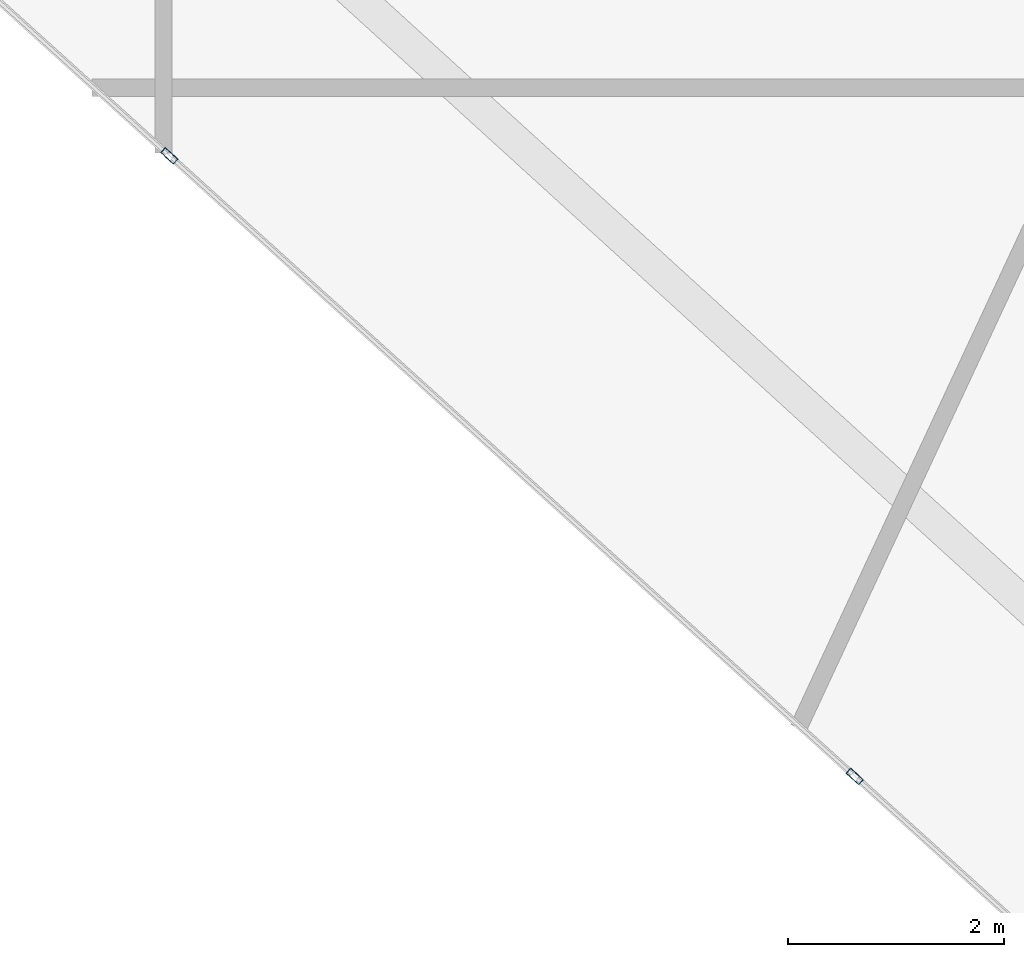
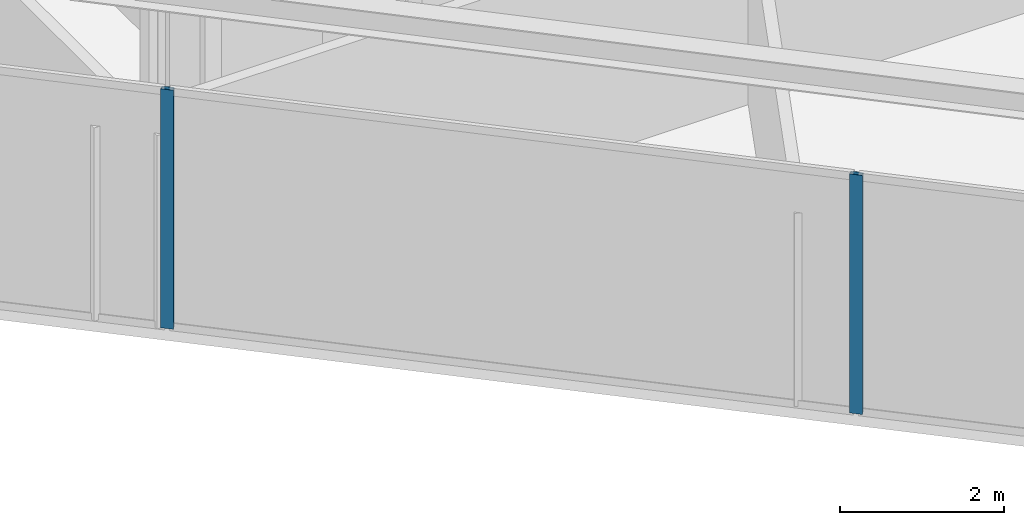
# One storey, part 3 of 14: 2 members, 1 element without a shape of its own.
"""IFC4 building model written with IfcOpenShell, lengths in metres."""

from ifc_helpers import new_model, si_unit, direction, frame, origin, origin_2d, place, context, subcontext, project, spatial, hollow_rectangle, extrude, material, layer, layer_set, material_profile, profile_set, type_object, element, aggregate, save


model = new_model("IFC4")

# Units and contexts
model_context = context("Model", 3, precision=1e-05, world=origin(), true_north=direction((0.0, 1.0)))
body_context = subcontext(model_context, "Body", "Model", "MODEL_VIEW")
ifc_project = project(units=[si_unit("LENGTHUNIT", "METRE"), si_unit("AREAUNIT", "SQUARE_METRE"), si_unit("VOLUMEUNIT", "CUBIC_METRE"), si_unit("PLANEANGLEUNIT", "RADIAN"), si_unit("MASSUNIT", "GRAM", prefix="KILO")], contexts=[model_context])

# Site, building, storey
site_placement = place(None, origin())
site = spatial("IfcSite", under=ifc_project, at=site_placement, CompositionType="ELEMENT")
building_placement = place(site_placement, origin())
building = spatial("IfcBuilding", under=site, at=building_placement, Name="Qianvela Tower", CompositionType="ELEMENT")
storey_placement = place(building_placement, frame((0.0, 0.0, 371.300048828125)))
storey = spatial("IfcBuildingStorey", under=building, at=storey_placement, Name="L96", CompositionType="ELEMENT", Elevation=371.300048828125)

# Curtain wall, members
ifc_material_1 = material(Name="Anodised Architectural Aluminium and Low-E Glass", Category="aluminium")
ifc_layer = layer(ifc_material_1, 0.159912109375)
ifc_layer_set = layer_set([ifc_layer], Name="Anodised Architectural Aluminium and Low-E Glass")
curtain_wall_type = type_object("IfcCurtainWallType", Name="CW-CROWN", PredefinedType="USERDEFINED", material=ifc_layer_set)
curtain_wall_placement = place(storey_placement, origin())
curtain_wall = element("IfcCurtainWall", 1, at=curtain_wall_placement, inside=storey, type_object=curtain_wall_type, Name="L96 CW-CROWN Curtain Wall 04", ObjectType="CURTAIN_WALL_SYSTEM", PredefinedType="USERDEFINED")
ifc_material_2 = material(Name="Anodised Architectural Aluminium 6063-T6", Category="aluminium")
ifc_material_profile = material_profile(ifc_material_2, hollow_rectangle(XDim=0.06494140625, YDim=0.159912109375, WallThickness=0.0048828125, at=origin_2d()), Name="ALU-MULL-65x160")
ifc_profile_set = profile_set([ifc_material_profile], Name="Anodised Architectural Aluminium 6063-T6")
member_type = type_object("IfcMemberType", Name="CW-CROWN-MULL", PredefinedType="MULLION", material=ifc_profile_set)
member_1_placement = place(storey_placement, frame((26.28369140625, 19.9990234375, 0.0), z_axis=(0.0, 0.0, 1.0), x_axis=(0.67120333428, 0.741273285672, 0.0)))
member_1 = element("IfcMember", 2, at=member_1_placement, type_object=member_type, Name="CW-8 mullion 2", PredefinedType="MULLION", context=body_context, shape_type="SweptSolid", body=[
    extrude(hollow_rectangle(XDim=0.06494140625, YDim=0.159912109375, WallThickness=0.0048828125, at=origin_2d()), origin(), (0.0, 0.0, 1.0), 3.550048828125),
])
member_2_placement = place(storey_placement, frame((32.638671875, 14.244873046875, 0.0), z_axis=(0.0, 0.0, 1.0), x_axis=(0.67120333428, 0.741273285672, 0.0)))
member_2 = element("IfcMember", 3, at=member_2_placement, type_object=member_type, Name="CW-8 mullion 3", PredefinedType="MULLION", context=body_context, shape_type="SweptSolid", body=[
    extrude(hollow_rectangle(XDim=0.06494140625, YDim=0.159912109375, WallThickness=0.0048828125, at=origin_2d()), origin(), (0.0, 0.0, 1.0), 3.550048828125),
])
aggregate(curtain_wall, [member_1, member_2])

save(model, "model.ifc")
